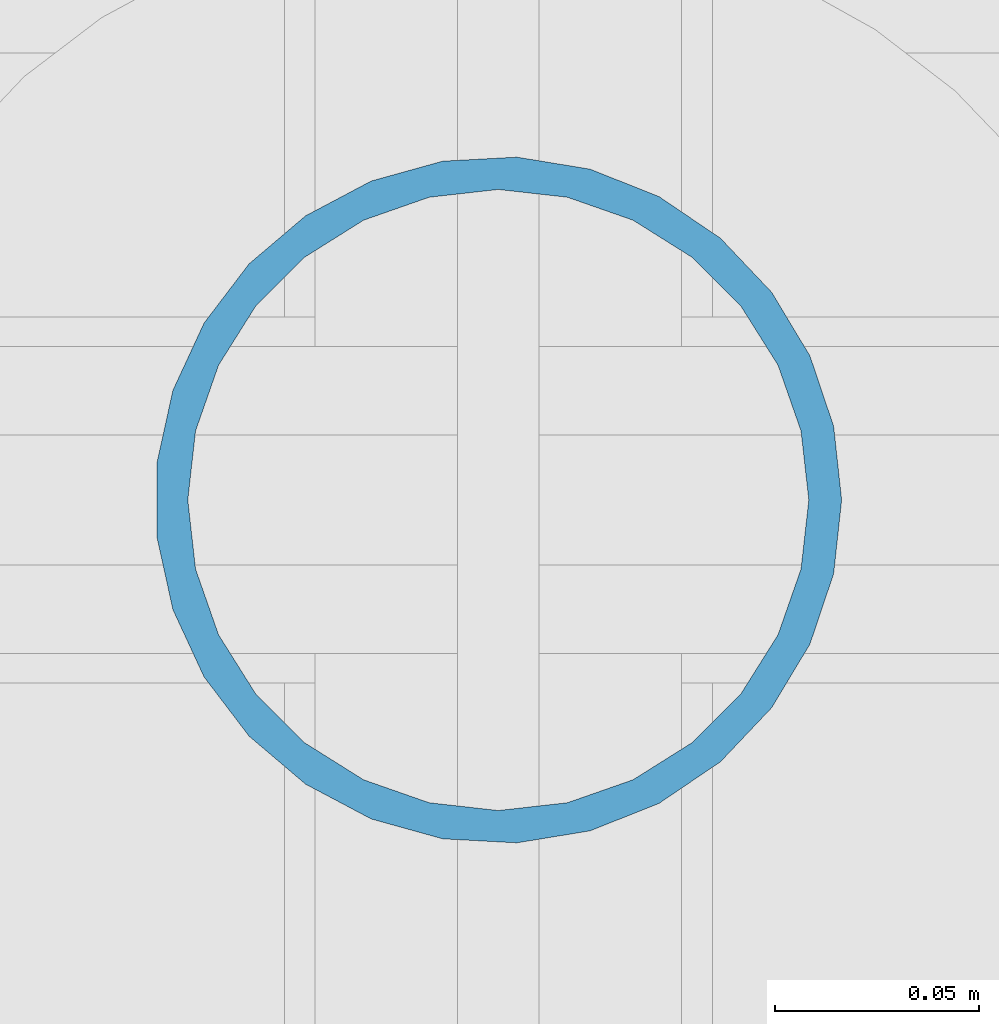
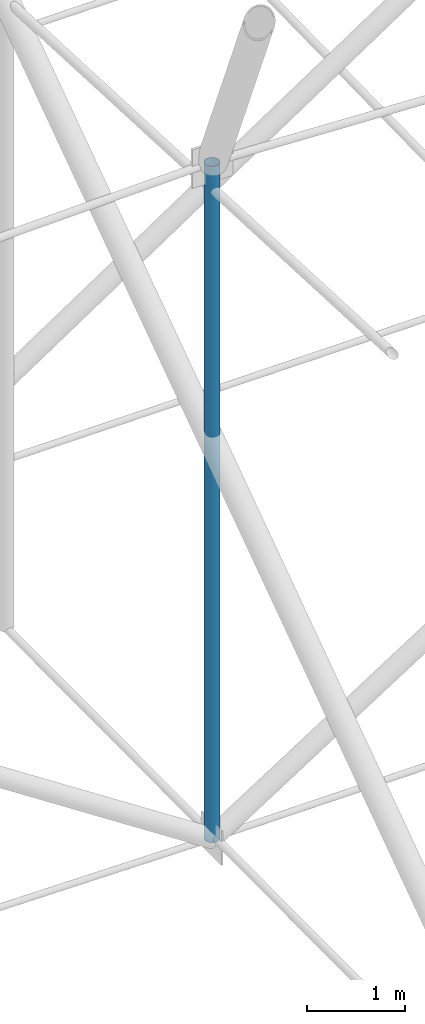
# One storey, part 68 of 173: 1 member.
"""IFC4 building model written with IfcOpenShell, lengths in metres."""

import ifcopenshell
import ifcopenshell.guid

model = None  # the IFC model being written
_history = None  # IfcOwnerHistory: only IFC2X3 demands one
_inside = {}  # id of a spatial element -> (the spatial element, [elements in it])
_under = {}  # id of a project, library or spatial element -> (it, [spatial elements below it])
_declared = {}  # id of a project -> (the project, [libraries it declares])
_typed = {}  # id of a type object -> (the type object, [elements of that type])
_made_of = {}  # id of a material, layer set ... -> (it, [elements and type objects made of it])


def new_model(schema):
    """Start an empty IFC model of exactly this schema.

    Asked for "IFC4X3", IfcOpenShell would pick the latest addendum, in which some entities
    have other attributes; the version numbers below select the first issue.
    IFC2X3 requires an IfcOwnerHistory on every rooted entity: one is made here for all.
    """
    global model, _history
    if schema == "IFC4X3":
        model = ifcopenshell.file(schema_version=(4, 3, 0, 0))
    else:
        model = ifcopenshell.file(schema=schema)
    _inside.clear()
    _under.clear()
    _declared.clear()
    _typed.clear()
    _made_of.clear()
    _history = None
    if model.schema == "IFC2X3":
        org = make("IfcOrganization", Name="unknown")
        user = make(
            "IfcPersonAndOrganization",
            ThePerson=make("IfcPerson", FamilyName="unknown"),
            TheOrganization=org,
        )
        app = make(
            "IfcApplication",
            ApplicationDeveloper=org,
            Version="unknown",
            ApplicationFullName="unknown",
            ApplicationIdentifier="unknown",
        )
        _history = make(
            "IfcOwnerHistory",
            OwningUser=user,
            OwningApplication=app,
            ChangeAction="ADDED",
            CreationDate=0,
        )
    return model


def make(cls, **values):
    """One entity of the class cls with the attributes given. An attribute that is None is left unset."""
    return model.create_entity(
        cls, **{name: value for name, value in values.items() if value is not None}
    )


def rooted(cls, **values):
    """An entity with a GlobalId (a new one), such as an element, a storey or a relation."""
    return make(cls, GlobalId=ifcopenshell.guid.new(), OwnerHistory=_history, **values)


def si_unit(unit_type, name, prefix=None):
    """IfcSIUnit, for example si_unit("LENGTHUNIT", "METRE", prefix="MILLI")."""
    return make("IfcSIUnit", UnitType=unit_type, Prefix=prefix, Name=name)


def assignment(units):
    """IfcUnitAssignment: the units of a project."""
    return None if units is None else make("IfcUnitAssignment", Units=units)


def point(xyz):
    """IfcCartesianPoint."""
    return None if xyz is None else make("IfcCartesianPoint", Coordinates=xyz)


def direction(xyz):
    """IfcDirection."""
    return None if xyz is None else make("IfcDirection", DirectionRatios=xyz)


def frame(location, z_axis=None, x_axis=None):
    """IfcAxis2Placement3D, a coordinate frame: its origin and axes. An axis left out is left unset."""
    return make(
        "IfcAxis2Placement3D",
        Location=point(location),
        Axis=direction(z_axis),
        RefDirection=direction(x_axis),
    )


def frame_2d(location, x_axis=None):
    """IfcAxis2Placement2D, a coordinate frame in the plane: its origin and x axis."""
    return make(
        "IfcAxis2Placement2D", Location=point(location), RefDirection=direction(x_axis)
    )


def origin():
    """The frame at (0, 0, 0) with its axes left unset."""
    return frame((0.0, 0.0, 0.0))


def origin_2d():
    """The frame at (0, 0) in the plane with its x axis left unset."""
    return frame_2d((0.0, 0.0))


def place(relative_to, where):
    """IfcLocalPlacement: puts the frame where relative to a parent placement (None: the world)."""
    return make(
        "IfcLocalPlacement", PlacementRelTo=relative_to, RelativePlacement=where
    )


def context(
    kind, dimensions, precision=None, world=None, true_north=None, identifier=None
):
    """IfcGeometricRepresentationContext, for example the 3D "Model" context."""
    return make(
        "IfcGeometricRepresentationContext",
        ContextIdentifier=identifier,
        ContextType=kind,
        CoordinateSpaceDimension=dimensions,
        Precision=precision,
        WorldCoordinateSystem=world,
        TrueNorth=true_north,
    )


def subcontext(parent, identifier, kind, view, scale=None):
    """IfcGeometricRepresentationSubContext, for example "Body" below "Model"."""
    return make(
        "IfcGeometricRepresentationSubContext",
        ContextIdentifier=identifier,
        ContextType=kind,
        ParentContext=parent,
        TargetScale=scale,
        TargetView=view,
    )


def project(units=None, contexts=None):
    """IfcProject with its units and contexts."""
    return rooted(
        "IfcProject",
        Name="project",
        RepresentationContexts=contexts,
        UnitsInContext=assignment(units),
    )


def spatial(cls, under=None, at=None, **own):
    """A site, building, storey or space (cls), placed at a placement, below another one or the project."""
    s = rooted(cls, ObjectPlacement=at, **own)
    if under is not None:
        _under.setdefault(under.id(), (under, []))[1].append(s)
    return s


def profile(cls, at=None, kind="AREA", **sizes):
    """A parametric profile (cls). Its sizes go by their IFC names, for example OverallWidth=200.0."""
    return make(cls, ProfileType=kind, Position=at, **sizes)


def hollow_circle(**sizes):
    """IfcCircleHollowProfileDef."""
    return profile("IfcCircleHollowProfileDef", **sizes)


def extrude(swept, where, along, depth):
    """IfcExtrudedAreaSolid: the profile swept, set in the frame where, extruded along a direction by depth."""
    return make(
        "IfcExtrudedAreaSolid",
        SweptArea=swept,
        Position=where,
        ExtrudedDirection=direction(along),
        Depth=depth,
    )


def shape(context_of_items, identifier, shape_type, items):
    """IfcShapeRepresentation: the items that make up one representation, for example the "Body"."""
    return make(
        "IfcShapeRepresentation",
        ContextOfItems=context_of_items,
        RepresentationIdentifier=identifier,
        RepresentationType=shape_type,
        Items=items,
    )


def material(Name=None, Category=None):
    """IfcMaterial."""
    return make("IfcMaterial", Name=Name, Category=Category)


def material_profile(
    of_material, cross_section, Name=None, Category=None, Priority=None
):
    """IfcMaterialProfile: a cross section and its material."""
    return make(
        "IfcMaterialProfile",
        Name=Name,
        Material=of_material,
        Profile=cross_section,
        Priority=Priority,
        Category=Category,
    )


def profile_set(profiles, Name=None, composite=None):
    """IfcMaterialProfileSet."""
    return make(
        "IfcMaterialProfileSet",
        Name=Name,
        MaterialProfiles=profiles,
        CompositeProfile=composite,
    )


def made_of(thing, what):
    """Note that an element or type object is made of a material, layer set ...; save() writes the relation."""
    if what is not None:
        _made_of.setdefault(what.id(), (what, []))[1].append(thing)
    return thing


def type_object(cls, material=None, **own):
    """A type object (cls), such as IfcWallType, which elements share."""
    return made_of(rooted(cls, **own), material)


def element(
    cls,
    number,
    at=None,
    inside=None,
    cuts=None,
    type_object=None,
    material=None,
    context=None,
    identifier="Body",
    shape_type=None,
    held_by="IfcProductDefinitionShape",
    body=None,
    shapes=None,
    **own,
):
    """One element of the class cls, such as IfcWall. Its Tag is "e" and its number.

    at: its placement. inside: the storey or other place that contains it. cuts: it is an
    opening in that element (IfcRelVoidsElement). A single representation is given by context,
    identifier, shape_type and body (its items); several are given by shapes. held_by: the class
    of the entity that holds the representations. save() writes the other relations.
    """
    e = rooted(cls, Tag="e%d" % number, ObjectPlacement=at, **own)
    if body is not None:
        shapes = [shape(context, identifier, shape_type, body)]
    if shapes is not None:
        e.Representation = make(held_by, Representations=shapes)
    if inside is not None:
        _inside.setdefault(inside.id(), (inside, []))[1].append(e)
    if cuts is not None:
        rooted(
            "IfcRelVoidsElement", RelatingBuildingElement=cuts, RelatedOpeningElement=e
        )
    if type_object is not None:
        _typed.setdefault(type_object.id(), (type_object, []))[1].append(e)
    return made_of(e, material)


def aggregate(whole, parts):
    """IfcRelAggregates: a whole, such as a stair, and the parts it consists of."""
    return rooted("IfcRelAggregates", RelatingObject=whole, RelatedObjects=parts)


def save(model, path):
    """Write the relations noted so far, then the file.

    IfcRelAggregates (storeys below a building ...), IfcRelContainedInSpatialStructure (elements
    in a storey), IfcRelDefinesByType, IfcRelAssociatesMaterial and IfcRelDeclares: one each for
    every whole, place, type object, material and project.
    """
    for whole, parts in _under.values():
        aggregate(whole, parts)
    for where, things in _inside.values():
        rooted(
            "IfcRelContainedInSpatialStructure",
            RelatedElements=things,
            RelatingStructure=where,
        )
    for kind, things in _typed.values():
        rooted("IfcRelDefinesByType", RelatedObjects=things, RelatingType=kind)
    for what, things in _made_of.values():
        rooted("IfcRelAssociatesMaterial", RelatedObjects=things, RelatingMaterial=what)
    for by, libraries in _declared.values():
        rooted("IfcRelDeclares", RelatingContext=by, RelatedDefinitions=libraries)
    model.write(path)


model = new_model("IFC4")

# Units and contexts
model_context = context("Model", 3, precision=1e-05, world=origin(), true_north=direction((0.0, 1.0)))
body_context = subcontext(model_context, "Body", "Model", "MODEL_VIEW")
ifc_project = project(units=[si_unit("LENGTHUNIT", "METRE"), si_unit("AREAUNIT", "SQUARE_METRE"), si_unit("VOLUMEUNIT", "CUBIC_METRE"), si_unit("PLANEANGLEUNIT", "RADIAN"), si_unit("MASSUNIT", "GRAM", prefix="KILO")], contexts=[model_context])

# Site, building, storey
site_placement = place(None, origin())
site = spatial("IfcSite", under=ifc_project, at=site_placement, CompositionType="ELEMENT")
building_placement = place(site_placement, origin())
building = spatial("IfcBuilding", under=site, at=building_placement, Name="Glasvene Arena", CompositionType="ELEMENT")
storey_placement = place(building_placement, frame((0.0, 0.0, 28.800048828125)))
storey = spatial("IfcBuildingStorey", under=building, at=storey_placement, Name="RF", CompositionType="ELEMENT", Elevation=28.800048828125)

# Member
ifc_material = material(Name="Steel S355J2", Category="steel")
ifc_material_profile = material_profile(ifc_material, hollow_circle(Radius=0.084228515625, WallThickness=0.008056640625, at=origin_2d()), Name="CHS 168.3x8.0")
ifc_profile_set = profile_set([ifc_material_profile], Name="Steel S355J2")
member_type = type_object("IfcMemberType", Name="MB-WEB-CHS168", PredefinedType="BRACE", material=ifc_profile_set)
member_placement = place(storey_placement, frame((92.0, 80.03955078125, -2.400146484375), z_axis=(0.0, 0.0, 1.0), x_axis=(1.0, 0.0, 0.0)))
element("IfcMember", 1, at=member_placement, inside=storey, type_object=member_type, Name="Cable-truss vertical strut EW05-04", PredefinedType="BRACE", context=body_context, shape_type="SweptSolid", body=[
    extrude(hollow_circle(Radius=0.084228515625, WallThickness=0.008056640625, at=origin_2d()), origin(), (0.0, 0.0, 1.0), 8.420166015625),
])

save(model, "model.ifc")
